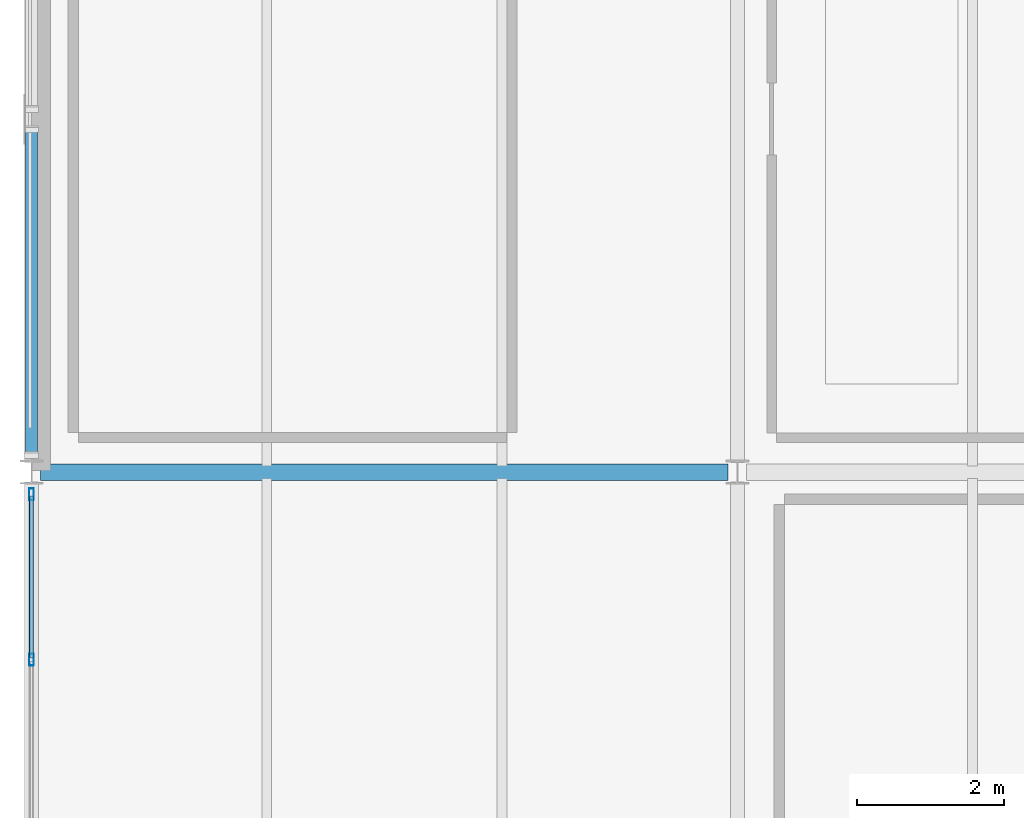
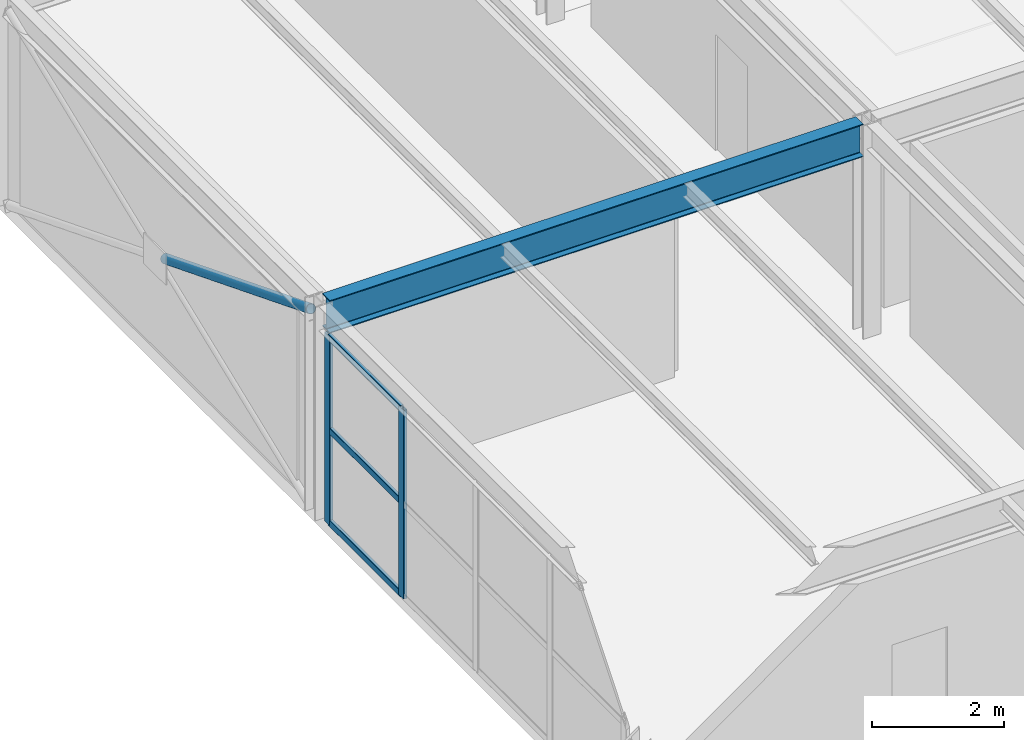
# One storey, part 12 of 50: 6 members, 1 beam, 1 element without a shape of its own.
"""IFC4 building model written with IfcOpenShell, lengths in metres."""

from ifc_helpers import new_model, si_unit, direction, frame, origin, origin_2d, place, context, subcontext, project, spatial, hollow_rectangle, hollow_circle, i_section, extrude, material, material_profile, profile_set, type_object, element, aggregate, save


model = new_model("IFC4")

# Units and contexts
model_context = context("Model", 3, precision=1e-05, world=origin(), true_north=direction((0.0, 1.0)))
body_context = subcontext(model_context, "Body", "Model", "MODEL_VIEW")
ifc_project = project(units=[si_unit("LENGTHUNIT", "METRE"), si_unit("AREAUNIT", "SQUARE_METRE"), si_unit("VOLUMEUNIT", "CUBIC_METRE"), si_unit("PLANEANGLEUNIT", "RADIAN"), si_unit("MASSUNIT", "GRAM", prefix="KILO")], contexts=[model_context])

# Site, building, storey
site_placement = place(None, origin())
site = spatial("IfcSite", under=ifc_project, at=site_placement, CompositionType="ELEMENT")
building_placement = place(site_placement, origin())
building = spatial("IfcBuilding", under=site, at=building_placement, Name="Coralgate Yard Interchange", CompositionType="ELEMENT")
storey_placement = place(building_placement, frame((0.0, 0.0, 14.699951171875)))
storey = spatial("IfcBuildingStorey", under=building, at=storey_placement, Name="L03", CompositionType="ELEMENT", Elevation=14.699951171875)

# Beam
ifc_material_1 = material(Name="Structural steel S355J2", Category="steel")
ifc_material_profile_1 = material_profile(ifc_material_1, i_section(OverallWidth=0.228271484375, OverallDepth=0.607666015625, WebThickness=0.010986328125, FlangeThickness=0.017333984375, FilletRadius=0.0126953125, at=origin_2d()), Name="UB 610x229x113")
ifc_profile_set_1 = profile_set([ifc_material_profile_1], Name="Structural steel S355J2")
beam_type = type_object("IfcBeamType", Name="BM-SG-5", PredefinedType="BEAM", material=ifc_profile_set_1)
beam_placement = place(storey_placement, frame((0.12548828125, 19.199951171875, 3.646240234375), z_axis=(1.0, 0.0, 0.0), x_axis=(0.0, 1.0, 0.0)))
element("IfcBeam", 1, at=beam_placement, inside=storey, type_object=beam_type, Name="L03 primary grid beam Y2 X0-1", PredefinedType="BEAM", context=body_context, shape_type="SweptSolid", body=[
    extrude(i_section(OverallWidth=0.228271484375, OverallDepth=0.607666015625, WebThickness=0.010986328125, FlangeThickness=0.017333984375, FilletRadius=0.0126953125, at=origin_2d()), origin(), (0.0, 0.0, 1.0), 9.348876953125),
])

# Member
ifc_material_profile_2 = material_profile(ifc_material_1, hollow_circle(Radius=0.084228515625, WallThickness=0.008056640625, at=origin_2d()), Name="CHS 168.3x8")
ifc_profile_set_2 = profile_set([ifc_material_profile_2], Name="Structural steel S355J2")
member_type_1 = type_object("IfcMemberType", Name="MB-BR-2", PredefinedType="BRACE", material=ifc_profile_set_2)
member_1_placement = place(storey_placement, frame((0.0, 23.854736328125, 1.882568359375), z_axis=(0.0, -0.929804046938, 0.368054933804), x_axis=(1.0, 0.0, 0.0)))
element("IfcMember", 2, at=member_1_placement, inside=storey, type_object=member_type_1, Name="L03 split concentric X-brace W-B2", PredefinedType="BRACE", context=body_context, shape_type="SweptSolid", body=[
    extrude(hollow_circle(Radius=0.084228515625, WallThickness=0.008056640625, at=origin_2d()), origin(), (0.0, 0.0, 1.0), 4.748046875),
])

# Curtain wall, members
ifc_material_2 = material(Name="Anodised coastal aluminium and solar-control low-E glass", Category="aluminium")
curtain_wall_type = type_object("IfcCurtainWallType", Name="CW-CW-L03-A", PredefinedType="NOTDEFINED", material=ifc_material_2)
curtain_wall_placement = place(storey_placement, origin())
curtain_wall = element("IfcCurtainWall", 3, at=curtain_wall_placement, inside=storey, type_object=curtain_wall_type, Name="L03 unitised curtain wall CW-L03-W-00-01", PredefinedType="NOTDEFINED")
ifc_material_3 = material(Name="Anodised coastal aluminium 6063-T6", Category="aluminium")
ifc_material_profile_3 = material_profile(ifc_material_3, hollow_rectangle(XDim=0.06494140625, YDim=0.159912109375, WallThickness=0.00390625, InnerFilletRadius=0.00390625, OuterFilletRadius=0.008056640625, at=origin_2d()), Name="ALU 65x160x4")
ifc_profile_set_3 = profile_set([ifc_material_profile_3], Name="Anodised coastal aluminium 6063-T6")
member_type_2 = type_object("IfcMemberType", Name="MB-MUL-160", PredefinedType="MULLION", material=ifc_profile_set_3)
member_2_placement = place(storey_placement, frame((0.0, 16.64990234375, 0.0), z_axis=(0.0, 0.0, 1.0), x_axis=(1.0, 0.0, 0.0)))
member_2 = element("IfcMember", 4, at=member_2_placement, type_object=member_type_2, Name="CW-L03-W-00-01 vertical mullion 4", PredefinedType="MULLION", context=body_context, shape_type="SweptSolid", body=[
    extrude(hollow_rectangle(XDim=0.06494140625, YDim=0.159912109375, WallThickness=0.00390625, InnerFilletRadius=0.00390625, OuterFilletRadius=0.008056640625, at=origin_2d()), origin(), (0.0, 0.0, 1.0), 3.4931640625),
])
member_3_placement = place(storey_placement, frame((0.0, 18.89990234375, 0.0), z_axis=(0.0, 0.0, 1.0), x_axis=(1.0, 0.0, 0.0)))
member_3 = element("IfcMember", 5, at=member_3_placement, type_object=member_type_2, Name="CW-L03-W-00-01 vertical mullion 5", PredefinedType="MULLION", context=body_context, shape_type="SweptSolid", body=[
    extrude(hollow_rectangle(XDim=0.06494140625, YDim=0.159912109375, WallThickness=0.00390625, InnerFilletRadius=0.00390625, OuterFilletRadius=0.008056640625, at=origin_2d()), origin(), (0.0, 0.0, 1.0), 3.4931640625),
])
ifc_material_profile_4 = material_profile(ifc_material_3, hollow_rectangle(XDim=0.06005859375, YDim=0.1201171875, WallThickness=0.00341796875, InnerFilletRadius=0.00341796875, OuterFilletRadius=0.007080078125, at=origin_2d()), Name="ALU 60x120x3.5")
ifc_profile_set_4 = profile_set([ifc_material_profile_4], Name="Anodised coastal aluminium 6063-T6")
member_type_3 = type_object("IfcMemberType", Name="MB-TRN-120", PredefinedType="USERDEFINED", material=ifc_profile_set_4)
member_4_placement = place(storey_placement, frame((0.0, 16.679931640625, 0.03515625), z_axis=(0.0, 1.0, 0.0), x_axis=(-1.0, 0.0, 0.0)))
member_4 = element("IfcMember", 6, at=member_4_placement, type_object=member_type_3, Name="CW-L03-W-00-01 horizontal transom 4-1", ObjectType="TRANSOM", PredefinedType="USERDEFINED", context=body_context, shape_type="SweptSolid", body=[
    extrude(hollow_rectangle(XDim=0.06005859375, YDim=0.1201171875, WallThickness=0.00341796875, InnerFilletRadius=0.00341796875, OuterFilletRadius=0.007080078125, at=origin_2d()), origin(), (0.0, 0.0, 1.0), 2.190185546875),
])
member_5_placement = place(storey_placement, frame((0.0, 16.679931640625, 1.74658203125), z_axis=(0.0, 1.0, 0.0), x_axis=(-1.0, 0.0, 0.0)))
member_5 = element("IfcMember", 7, at=member_5_placement, type_object=member_type_3, Name="CW-L03-W-00-01 horizontal transom 4-2", ObjectType="TRANSOM", PredefinedType="USERDEFINED", context=body_context, shape_type="SweptSolid", body=[
    extrude(hollow_rectangle(XDim=0.06005859375, YDim=0.1201171875, WallThickness=0.00341796875, InnerFilletRadius=0.00341796875, OuterFilletRadius=0.007080078125, at=origin_2d()), origin(), (0.0, 0.0, 1.0), 2.190185546875),
])
member_6_placement = place(storey_placement, frame((0.0, 16.679931640625, 3.4580078125), z_axis=(0.0, 1.0, 0.0), x_axis=(-1.0, 0.0, 0.0)))
member_6 = element("IfcMember", 8, at=member_6_placement, type_object=member_type_3, Name="CW-L03-W-00-01 horizontal transom 4-3", ObjectType="TRANSOM", PredefinedType="USERDEFINED", context=body_context, shape_type="SweptSolid", body=[
    extrude(hollow_rectangle(XDim=0.06005859375, YDim=0.1201171875, WallThickness=0.00341796875, InnerFilletRadius=0.00341796875, OuterFilletRadius=0.007080078125, at=origin_2d()), origin(), (0.0, 0.0, 1.0), 2.190185546875),
])
aggregate(curtain_wall, [member_2, member_3, member_4, member_5, member_6])

save(model, "model.ifc")
